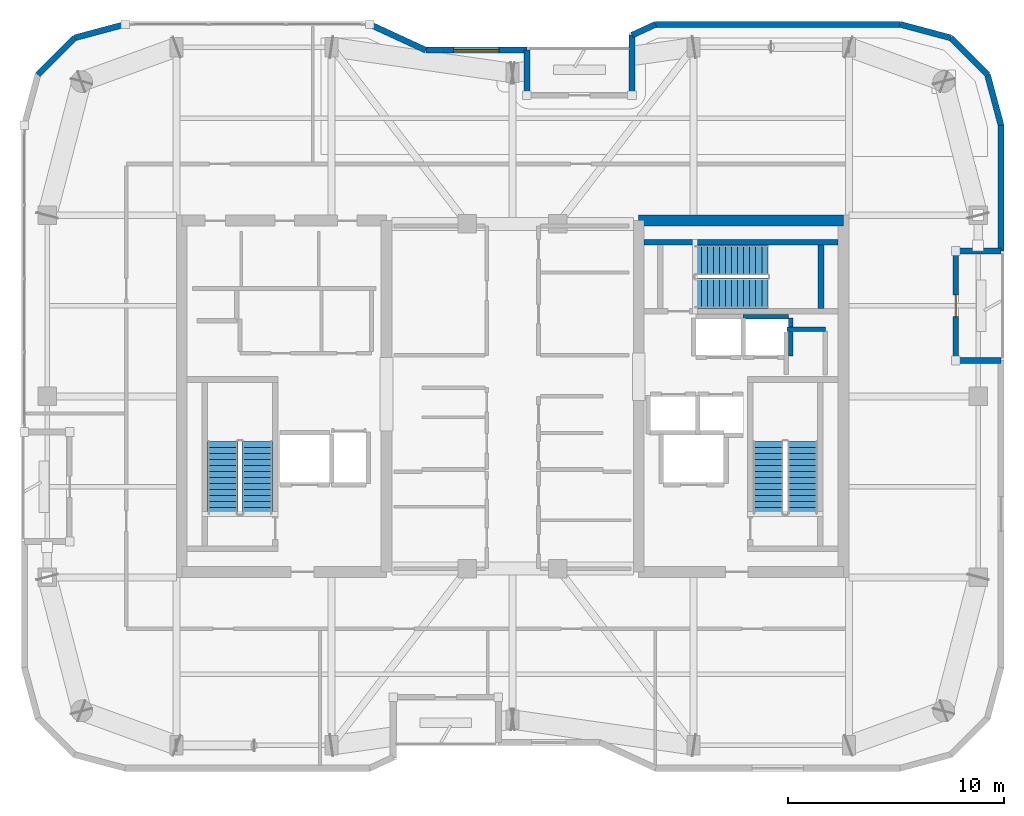
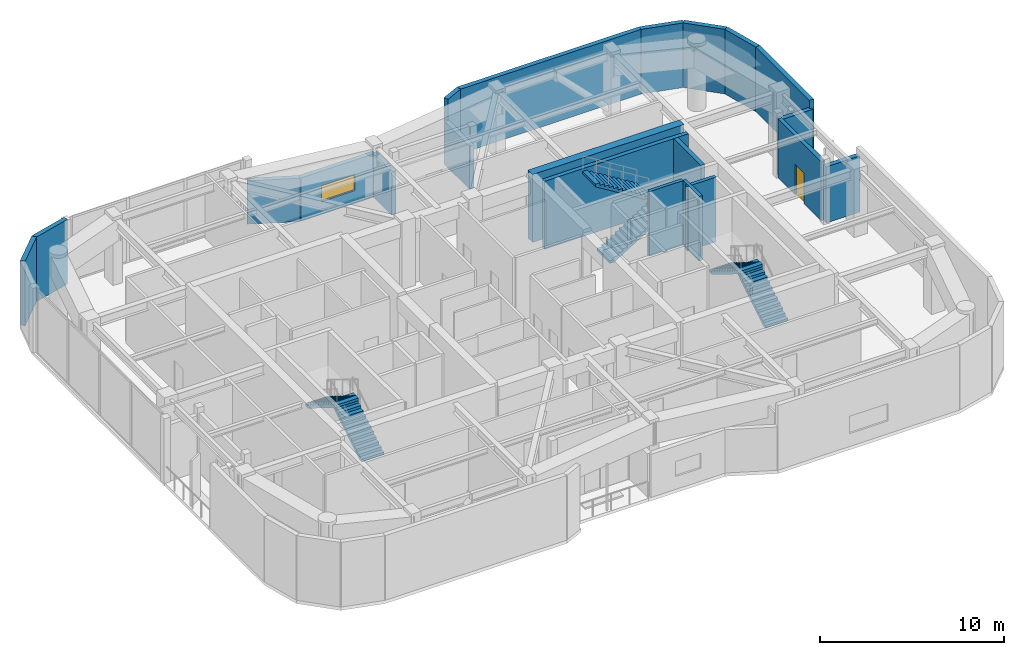
# One storey, part 13 of 16: 21 walls, 6 stair flights, 1 door, 1 window, 2 openings, 3 elements without a shape of their own.
"""IFC4 building model written with IfcOpenShell, lengths in metres."""

from ifc_helpers import new_model, si_unit, direction, frame, frame_2d, origin, place, context, subcontext, project, spatial, polyline, rectangle, outline, extrude, material, layer, layer_set, type_object, element, fill, aggregate, save


model = new_model("IFC4")

# Units and contexts
model_context = context("Model", 3, precision=1e-05, world=origin(), true_north=direction((0.0, 1.0)))
body_context = subcontext(model_context, "Body", "Model", "MODEL_VIEW")
ifc_project = project(units=[si_unit("LENGTHUNIT", "METRE"), si_unit("AREAUNIT", "SQUARE_METRE"), si_unit("VOLUMEUNIT", "CUBIC_METRE"), si_unit("PLANEANGLEUNIT", "RADIAN"), si_unit("MASSUNIT", "GRAM", prefix="KILO")], contexts=[model_context])

# Site, building, storey
site_placement = place(None, origin())
site = spatial("IfcSite", under=ifc_project, at=site_placement, CompositionType="ELEMENT")
building_placement = place(site_placement, origin())
building = spatial("IfcBuilding", under=site, at=building_placement, Name="Kiyonajd Concourse Tower", CompositionType="ELEMENT")
storey_placement = place(building_placement, frame((0.0, 0.0, 337.5)))
storey = spatial("IfcBuildingStorey", under=building, at=storey_placement, Name="L85", CompositionType="ELEMENT", Elevation=337.5)

# Walls
ifc_material_1 = material(Name="Concrete C60/75", Category="concrete")
ifc_layer_1 = layer(ifc_material_1, 0.5)
ifc_layer_set_1 = layer_set([ifc_layer_1], Name="Concrete C60/75")
wall_type_1 = type_object("IfcWallType", Name="WL-CORE-500", PredefinedType="SHEAR", material=ifc_layer_set_1)
wall_1_placement = place(storey_placement, frame((53.85009765625, 44.14990234375, 0.0), z_axis=(0.0, 0.0, 1.0), x_axis=(1.0, 0.0, 0.0)))
element("IfcWall", 1, at=wall_1_placement, inside=storey, type_object=wall_type_1, Name="L85 East Core North Shear Wall", PredefinedType="SHEAR", context=body_context, shape_type="SweptSolid", body=[
    extrude(rectangle(XDim=9.5, YDim=0.5, at=frame_2d((4.75, 0.0))), origin(), (0.0, 0.0, 1.0), 4.5),
])
ifc_material_2 = material(Name="Precast concrete C50/60", Category="concrete")
ifc_layer_2 = layer(ifc_material_2, 0.280029296875)
ifc_layer_set_2 = layer_set([ifc_layer_2], Name="Precast concrete C50/60")
wall_type_2 = type_object("IfcWallType", Name="WL-EXT-280", PredefinedType="SOLIDWALL", material=ifc_layer_set_2)
wall_2_placement = place(storey_placement, frame((25.968505859375, 50.927490234375, 0.0), z_axis=(0.0, 0.0, 1.0), x_axis=(0.707106781187, 0.707106781187, 0.0)))
element("IfcWall", 2, at=wall_2_placement, inside=storey, type_object=wall_type_2, Name="L85 Exterior Concrete Frame Wall 07", PredefinedType="SOLIDWALL", context=body_context, shape_type="SweptSolid", body=[
    extrude(rectangle(XDim=2.409912109375, YDim=0.280029296875, at=frame_2d((1.205078125, 0.0))), origin(), (0.0, 0.0, 1.0), 4.280029296875),
])
wall_3_placement = place(storey_placement, frame((27.672607421875, 52.631591796875, 0.0), z_axis=(0.0, 0.0, 1.0), x_axis=(0.965937282298, 0.25877628691, 0.0)))
element("IfcWall", 3, at=wall_3_placement, inside=storey, type_object=wall_type_2, Name="L85 Exterior Concrete Frame Wall 08", PredefinedType="SOLIDWALL", context=body_context, shape_type="SweptSolid", body=[
    extrude(rectangle(XDim=2.428466796875, YDim=0.280029296875, at=frame_2d((1.21435546875, 0.0))), origin(), (0.0, 0.0, 1.0), 4.280029296875),
])
wall_4_placement = place(storey_placement, frame((41.369384765625, 53.260009765625, 0.0), z_axis=(0.0, 0.0, 1.0), x_axis=(0.907956889006, -0.419063584324, 0.0)))
element("IfcWall", 4, at=wall_4_placement, inside=storey, type_object=wall_type_2, Name="L85 Exterior Concrete Frame Wall 10", PredefinedType="SOLIDWALL", context=body_context, shape_type="SweptSolid", body=[
    extrude(rectangle(XDim=2.863525390625, YDim=0.280029296875, at=frame_2d((1.431640625, 0.0))), origin(), (0.0, 0.0, 1.0), 2.864990234375),
])

# Wall, opening, window
wall_5_placement = place(storey_placement, frame((43.96923828125, 52.06005859375, 0.0), z_axis=(0.0, 0.0, 1.0), x_axis=(1.0, 0.0, 0.0)))
wall_5 = element("IfcWall", 5, at=wall_5_placement, inside=storey, type_object=wall_type_2, Name="L85 Exterior Concrete Frame Wall 11", PredefinedType="SOLIDWALL", context=body_context, shape_type="SweptSolid", body=[
    extrude(rectangle(XDim=4.690673828125, YDim=0.280029296875, at=frame_2d((2.34521484375, 0.0))), origin(), (0.0, 0.0, 1.0), 2.864990234375),
])
opening_1_placement = place(wall_5_placement, frame((1.294921875, 0.0, 0.85009765625)))
opening_1 = element("IfcOpeningElement", 6, at=opening_1_placement, cuts=wall_5, Name="Opening WN5", PredefinedType="OPENING", context=body_context, shape_type="SweptSolid", body=[
    extrude(rectangle(XDim=2.10009765625, YDim=1.050048828125, at=frame_2d((1.050048828125, 0.52490234375))), frame((0.0, 0.14990234375, 0.0), z_axis=(0.0, -1.0, 0.0), x_axis=(1.0, 0.0, 0.0)), (0.0, 0.0, 1.0), 0.300048828125),
])
ifc_material_3 = material(Name="Double Low-E Insulated Glass", Category="glass")
window_type = type_object("IfcWindowType", Name="WN-VIS-2100x1050", PartitioningType="SINGLE_PANEL", PredefinedType="WINDOW", material=ifc_material_3)
window_placement = place(opening_1_placement, origin())
window = element("IfcWindow", 7, at=window_placement, inside=storey, type_object=window_type, Name="L85 Modular Facade Vision Window 11", OverallHeight=1.050048828125, OverallWidth=2.10009765625, PartitioningType="SINGLE_PANEL", PredefinedType="WINDOW", context=body_context, shape_type="SweptSolid", body=[
    extrude(rectangle(XDim=2.10009765625, YDim=1.050048828125, at=frame_2d((1.050048828125, 0.52490234375))), frame((0.0, 0.030029296875, 0.0), z_axis=(0.0, -1.0, 0.0), x_axis=(1.0, 0.0, 0.0)), (0.0, 0.0, 1.0), 0.06005859375),
])
fill(opening_1, window)

# Walls
wall_6_placement = place(storey_placement, frame((48.659912109375, 52.06005859375, 0.0), z_axis=(0.0, 0.0, 1.0), x_axis=(0.0, -1.0, 0.0)))
element("IfcWall", 8, at=wall_6_placement, inside=storey, type_object=wall_type_2, Name="L85 Exterior Concrete Frame Wall 12", PredefinedType="SOLIDWALL", context=body_context, shape_type="SweptSolid", body=[
    extrude(rectangle(XDim=2.10009765625, YDim=0.280029296875, at=frame_2d((1.050048828125, 0.0))), origin(), (0.0, 0.0, 1.0), 2.864990234375),
])
wall_7_placement = place(storey_placement, frame((53.5400390625, 49.9599609375, 0.0), z_axis=(0.0, 0.0, 1.0), x_axis=(0.0, 1.0, 0.0)))
element("IfcWall", 9, at=wall_7_placement, inside=storey, type_object=wall_type_2, Name="L85 Exterior Concrete Frame Wall 14", PredefinedType="SOLIDWALL", context=body_context, shape_type="SweptSolid", body=[
    extrude(rectangle(XDim=2.79638671875, YDim=0.280029296875, at=frame_2d((1.398193359375, 0.0))), origin(), (0.0, 0.0, 1.0), 2.864990234375),
])
wall_8_placement = place(storey_placement, frame((53.5400390625, 52.75634765625, 0.0), z_axis=(0.0, 0.0, 1.0), x_axis=(0.907893953211, 0.419199916176, 0.0)))
element("IfcWall", 10, at=wall_8_placement, inside=storey, type_object=wall_type_2, Name="L85 Exterior Concrete Frame Wall 15", PredefinedType="SOLIDWALL", context=body_context, shape_type="SweptSolid", body=[
    extrude(rectangle(XDim=1.201416015625, YDim=0.280029296875, at=frame_2d((0.6005859375, 0.0))), origin(), (0.0, 0.0, 1.0), 4.280029296875),
])
wall_9_placement = place(storey_placement, frame((54.630859375, 53.260009765625, 0.0), z_axis=(0.0, 0.0, 1.0), x_axis=(1.0, 0.0, 0.0)))
element("IfcWall", 11, at=wall_9_placement, inside=storey, type_object=wall_type_2, Name="L85 Exterior Concrete Frame Wall 16", PredefinedType="SOLIDWALL", context=body_context, shape_type="SweptSolid", body=[
    extrude(rectangle(XDim=11.350830078125, YDim=0.280029296875, at=frame_2d((5.67529296875, 0.0))), origin(), (0.0, 0.0, 1.0), 4.280029296875),
])
wall_10_placement = place(storey_placement, frame((65.981689453125, 53.260009765625, 0.0), z_axis=(0.0, 0.0, 1.0), x_axis=(0.965937282298, -0.25877628691, 0.0)))
element("IfcWall", 12, at=wall_10_placement, inside=storey, type_object=wall_type_2, Name="L85 Exterior Concrete Frame Wall 17", PredefinedType="SOLIDWALL", context=body_context, shape_type="SweptSolid", body=[
    extrude(rectangle(XDim=2.428466796875, YDim=0.280029296875, at=frame_2d((1.21435546875, 0.0))), origin(), (0.0, 0.0, 1.0), 4.280029296875),
])
wall_11_placement = place(storey_placement, frame((68.327392578125, 52.631591796875, 0.0), z_axis=(0.0, 0.0, 1.0), x_axis=(0.707106781187, -0.707106781187, 0.0)))
element("IfcWall", 13, at=wall_11_placement, inside=storey, type_object=wall_type_2, Name="L85 Exterior Concrete Frame Wall 18", PredefinedType="SOLIDWALL", context=body_context, shape_type="SweptSolid", body=[
    extrude(rectangle(XDim=2.409912109375, YDim=0.280029296875, at=frame_2d((1.205078125, 0.0))), origin(), (0.0, 0.0, 1.0), 4.280029296875),
])
wall_12_placement = place(storey_placement, frame((70.031494140625, 50.927490234375, 0.0), z_axis=(0.0, 0.0, 1.0), x_axis=(0.258751159445, -0.965944013639, 0.0)))
element("IfcWall", 14, at=wall_12_placement, inside=storey, type_object=wall_type_2, Name="L85 Exterior Concrete Frame Wall 19", PredefinedType="SOLIDWALL", context=body_context, shape_type="SweptSolid", body=[
    extrude(rectangle(XDim=2.4287109375, YDim=0.280029296875, at=frame_2d((1.21435546875, 0.0))), origin(), (0.0, 0.0, 1.0), 4.280029296875),
])
wall_13_placement = place(storey_placement, frame((70.659912109375, 48.58154296875, 0.0), z_axis=(0.0, 0.0, 1.0), x_axis=(0.0, -1.0, 0.0)))
element("IfcWall", 15, at=wall_13_placement, inside=storey, type_object=wall_type_2, Name="L85 Exterior Concrete Frame Wall 20", PredefinedType="SOLIDWALL", context=body_context, shape_type="SweptSolid", body=[
    extrude(rectangle(XDim=5.841552734375, YDim=0.280029296875, at=frame_2d((2.9208984375, 0.0))), origin(), (0.0, 0.0, 1.0), 4.280029296875),
])
for number, where, z_axis, x_axis, name in (
    (16, (70.659912109375, 42.739990234375, 0.0), (0.0, 0.0, 1.0), (-1.0, 0.0, 0.0), "L85 Exterior Concrete Frame Wall 21"),
    (17, (68.56005859375, 37.659912109375, 0.0), (0.0, 0.0, 1.0), (1.0, 0.0, 0.0), "L85 Exterior Concrete Frame Wall 23"),
):
    element("IfcWall", number, at=place(storey_placement, frame(where, z_axis=z_axis, x_axis=x_axis)), inside=storey, type_object=wall_type_2, Name=name, PredefinedType="SOLIDWALL", context=body_context, shape_type="SweptSolid", body=[
        extrude(rectangle(XDim=2.099853515625, YDim=0.280029296875, at=frame_2d((1.0498046875, 0.0))), origin(), (0.0, 0.0, 1.0), 3.72607421875),
    ])

# Wall, opening, door
ifc_layer_3 = layer(ifc_material_2, 0.239990234375)
ifc_layer_set_3 = layer_set([ifc_layer_3], Name="Precast concrete C50/60")
wall_type_3 = type_object("IfcWallType", Name="WL-LOG-240", PredefinedType="SOLIDWALL", material=ifc_layer_set_3)
wall_14_placement = place(storey_placement, frame((68.56005859375, 42.544921875, 0.0), z_axis=(0.0, 0.0, 1.0), x_axis=(0.0, -1.0, 0.0)))
wall_14 = element("IfcWall", 18, at=wall_14_placement, inside=storey, type_object=wall_type_3, Name="L85 Recessed Loggia Thermal Wall LOG-E", PredefinedType="SOLIDWALL", context=body_context, shape_type="SweptSolid", body=[
    extrude(rectangle(XDim=4.68994140625, YDim=0.239990234375, at=frame_2d((2.344970703125, 0.0))), origin(), (0.0, 0.0, 1.0), 3.910888671875),
])
opening_2_placement = place(wall_14_placement, frame((1.844970703125, 0.0, 0.0)))
opening_2 = element("IfcOpeningElement", 19, at=opening_2_placement, cuts=wall_14, Name="Opening DL1", PredefinedType="OPENING", context=body_context, shape_type="SweptSolid", body=[
    extrude(rectangle(XDim=1.0, YDim=2.02001953125, at=frame_2d((0.5, 1.010009765625))), frame((0.0, 0.1298828125, 0.0), z_axis=(0.0, -1.0, 0.0), x_axis=(1.0, 0.0, 0.0)), (0.0, 0.0, 1.0), 0.260009765625),
])
ifc_material_4 = material(Name="Thermally Broken Anodised Aluminium", Category="aluminium")
door_type = type_object("IfcDoorType", Name="DR-LOG-1000", OperationType="NOTDEFINED", PredefinedType="DOOR", material=ifc_material_4)
door_placement = place(opening_2_placement, origin())
door = element("IfcDoor", 20, at=door_placement, inside=storey, type_object=door_type, Name="L85 Engawa Loggia Access Door LOG-E", OperationType="SINGLE_SWING_LEFT", OverallHeight=2.02001953125, OverallWidth=1.0, PredefinedType="DOOR", context=body_context, shape_type="SweptSolid", body=[
    extrude(rectangle(XDim=1.0, YDim=2.02001953125, at=frame_2d((0.5, 1.010009765625))), frame((0.0, 0.02490234375, 0.0), z_axis=(0.0, -1.0, 0.0), x_axis=(1.0, 0.0, 0.0)), (0.0, 0.0, 1.0), 0.050048828125),
])
fill(opening_2, door)

# Walls
ifc_material_5 = material(Name="Gypsum Board on Cold-Formed Steel Stud", Category="steel")
ifc_layer_4 = layer(ifc_material_5, 0.2099609375)
ifc_layer_set_4 = layer_set([ifc_layer_4], Name="Gypsum Board on Cold-Formed Steel Stud")
wall_type_4 = type_object("IfcWallType", Name="WL-SHAFT-210", PredefinedType="PARTITIONING", material=ifc_layer_set_4)
wall_15_placement = place(storey_placement, frame((60.719970703125, 39.10009765625, 0.0), z_axis=(0.0, 0.0, 1.0), x_axis=(1.0, 0.0, 0.0)))
element("IfcWall", 21, at=wall_15_placement, inside=storey, type_object=wall_type_4, Name="L85 Shaft Enclosure Wall", PredefinedType="PARTITIONING", context=body_context, shape_type="SweptSolid", body=[
    extrude(rectangle(XDim=1.800048828125, YDim=0.2099609375, at=frame_2d((0.89990234375, 0.0))), origin(), (0.0, 0.0, 1.0), 4.280029296875),
])
wall_16_placement = place(storey_placement, frame((58.699951171875, 39.699951171875, 0.0), z_axis=(0.0, 0.0, 1.0), x_axis=(1.0, 0.0, 0.0)))
element("IfcWall", 22, at=wall_16_placement, inside=storey, type_object=wall_type_4, Name="L85 Shaft Enclosure Wall", PredefinedType="PARTITIONING", context=body_context, shape_type="SweptSolid", body=[
    extrude(rectangle(XDim=2.10009765625, YDim=0.2099609375, at=frame_2d((1.050048828125, 0.0))), origin(), (0.0, 0.0, 1.0), 4.280029296875),
])
wall_17_placement = place(storey_placement, frame((60.89990234375, 37.860107421875, 0.0), z_axis=(0.0, 0.0, 1.0), x_axis=(0.0, 1.0, 0.0)))
element("IfcWall", 23, at=wall_17_placement, inside=storey, type_object=wall_type_4, Name="L85 Shaft Enclosure Wall", PredefinedType="PARTITIONING", context=body_context, shape_type="SweptSolid", body=[
    extrude(rectangle(XDim=1.77978515625, YDim=0.2099609375, at=frame_2d((0.889892578125, 0.0))), origin(), (0.0, 0.0, 1.0), 4.280029296875),
])
ifc_material_6 = material(Name="Concrete C50/60", Category="concrete")
ifc_layer_5 = layer(ifc_material_6, 0.260009765625)
ifc_layer_set_5 = layer_set([ifc_layer_5], Name="Concrete C50/60")
wall_type_5 = type_object("IfcWallType", Name="WL-STAIR-260", PredefinedType="SHEAR", material=ifc_layer_set_5)
wall_18_placement = place(storey_placement, frame((54.10009765625, 43.14990234375, 0.0), z_axis=(0.0, 0.0, 1.0), x_axis=(1.0, 0.0, 0.0)))
element("IfcWall", 24, at=wall_18_placement, inside=storey, type_object=wall_type_5, Name="L85 Stair ST3 Structural North Wall", PredefinedType="SHEAR", context=body_context, shape_type="SweptSolid", body=[
    extrude(rectangle(XDim=9.0, YDim=0.260009765625, at=frame_2d((4.5, 0.0))), origin(), (0.0, 0.0, 1.0), 4.5),
])
wall_19_placement = place(storey_placement, frame((62.31005859375, 40.080078125, 0.0), z_axis=(0.0, 0.0, 1.0), x_axis=(0.0, 1.0, 0.0)))
element("IfcWall", 25, at=wall_19_placement, inside=storey, type_object=wall_type_5, Name="L85 Stair ST3 Structural East Wall", PredefinedType="SHEAR", context=body_context, shape_type="SweptSolid", body=[
    extrude(rectangle(XDim=2.93994140625, YDim=0.260009765625, at=frame_2d((1.469970703125, 0.0))), origin(), (0.0, 0.0, 1.0), 4.5),
])

# Stair, stair flights
ifc_material_7 = material(Name="Concrete C40/50", Category="concrete")
stair_type = type_object("IfcStairType", Name="ST-DLG-26R", PredefinedType="HALF_TURN_STAIR", material=ifc_material_7)
stair_1_placement = place(storey_placement, origin())
stair_1 = element("IfcStair", 26, at=stair_1_placement, inside=storey, type_object=stair_type, Name="L85 Protected Exit Stair ST1", PredefinedType="HALF_TURN_STAIR")
stair_flight_type = type_object("IfcStairFlightType", Name="SF-STR-26R", PredefinedType="STRAIGHT", material=ifc_material_7)
stair_flight_1_placement = place(storey_placement, frame((36.14990234375, 30.550048828125, 0.0), z_axis=(0.0, 0.0, 1.0), x_axis=(0.0, 1.0, 0.0)))
stair_flight_1 = element("IfcStairFlight", 27, at=stair_flight_1_placement, type_object=stair_flight_type, Name="ST1 flight 1", NumberOfRisers=13, NumberOfTreads=12, PredefinedType="STRAIGHT", RiserHeight=0.173076923, TreadLength=0.28, context=body_context, shape_type="SweptSolid", body=[
    extrude(outline(polyline([(0.0, 0.0), (0.0, 0.173095703125), (0.280029296875, 0.173095703125), (0.280029296875, 0.34619140625), (0.56005859375, 0.34619140625), (0.56005859375, 0.519287109375), (0.840087890625, 0.519287109375), (0.840087890625, 0.6923828125), (1.1201171875, 0.6923828125), (1.1201171875, 0.865478515625), (1.39990234375, 0.865478515625), (1.39990234375, 1.03857421875), (1.679931640625, 1.03857421875), (1.679931640625, 1.21142578125), (1.9599609375, 1.21142578125), (1.9599609375, 1.384521484375), (2.239990234375, 1.384521484375), (2.239990234375, 1.5576171875), (2.52001953125, 1.5576171875), (2.52001953125, 1.730712890625), (2.800048828125, 1.730712890625), (2.800048828125, 1.90380859375), (3.080078125, 1.90380859375), (3.080078125, 2.076904296875), (3.360107421875, 2.076904296875), (3.360107421875, 2.25), (3.360107421875, 1.900634765625), (0.28515625, 0.0), (0.0, 0.0)])), frame((0.0, 0.699951171875, 0.0), z_axis=(0.0, -1.0, 0.0), x_axis=(1.0, 0.0, 0.0)), (0.0, 0.0, 1.0), 1.39990234375),
])
stair_flight_2_placement = place(storey_placement, frame((34.550048828125, 33.909912109375, 2.25), z_axis=(0.0, 0.0, 1.0), x_axis=(0.0, -1.0, 0.0)))
stair_flight_2 = element("IfcStairFlight", 28, at=stair_flight_2_placement, type_object=stair_flight_type, Name="ST1 flight 2", NumberOfRisers=13, NumberOfTreads=12, PredefinedType="STRAIGHT", RiserHeight=0.173076923, TreadLength=0.28, context=body_context, shape_type="SweptSolid", body=[
    extrude(outline(polyline([(0.0, 0.0), (0.0, 0.173095703125), (0.280029296875, 0.173095703125), (0.280029296875, 0.34619140625), (0.56005859375, 0.34619140625), (0.56005859375, 0.519287109375), (0.840087890625, 0.519287109375), (0.840087890625, 0.6923828125), (1.1201171875, 0.6923828125), (1.1201171875, 0.865478515625), (1.39990234375, 0.865478515625), (1.39990234375, 1.03857421875), (1.679931640625, 1.03857421875), (1.679931640625, 1.21142578125), (1.9599609375, 1.21142578125), (1.9599609375, 1.384521484375), (2.239990234375, 1.384521484375), (2.239990234375, 1.5576171875), (2.52001953125, 1.5576171875), (2.52001953125, 1.730712890625), (2.800048828125, 1.730712890625), (2.800048828125, 1.90380859375), (3.080078125, 1.90380859375), (3.080078125, 2.076904296875), (3.360107421875, 2.076904296875), (3.360107421875, 2.25), (3.360107421875, 1.900634765625), (0.28515625, 0.0), (0.0, 0.0)])), frame((0.0, 0.699951171875, 0.0), z_axis=(0.0, -1.0, 0.0), x_axis=(1.0, 0.0, 0.0)), (0.0, 0.0, 1.0), 1.39990234375),
])
aggregate(stair_1, [stair_flight_1, stair_flight_2])

stair_2_placement = place(storey_placement, origin())
stair_2 = element("IfcStair", 29, at=stair_2_placement, inside=storey, type_object=stair_type, Name="L85 Protected Exit Stair ST2", PredefinedType="HALF_TURN_STAIR")
stair_flight_3_placement = place(storey_placement, frame((61.449951171875, 30.550048828125, 0.0), z_axis=(0.0, 0.0, 1.0), x_axis=(0.0, 1.0, 0.0)))
stair_flight_3 = element("IfcStairFlight", 30, at=stair_flight_3_placement, type_object=stair_flight_type, Name="ST2 flight 1", NumberOfRisers=13, NumberOfTreads=12, PredefinedType="STRAIGHT", RiserHeight=0.173076923, TreadLength=0.28, context=body_context, shape_type="SweptSolid", body=[
    extrude(outline(polyline([(0.0, 0.0), (0.0, 0.173095703125), (0.280029296875, 0.173095703125), (0.280029296875, 0.34619140625), (0.56005859375, 0.34619140625), (0.56005859375, 0.519287109375), (0.840087890625, 0.519287109375), (0.840087890625, 0.6923828125), (1.1201171875, 0.6923828125), (1.1201171875, 0.865478515625), (1.39990234375, 0.865478515625), (1.39990234375, 1.03857421875), (1.679931640625, 1.03857421875), (1.679931640625, 1.21142578125), (1.9599609375, 1.21142578125), (1.9599609375, 1.384521484375), (2.239990234375, 1.384521484375), (2.239990234375, 1.5576171875), (2.52001953125, 1.5576171875), (2.52001953125, 1.730712890625), (2.800048828125, 1.730712890625), (2.800048828125, 1.90380859375), (3.080078125, 1.90380859375), (3.080078125, 2.076904296875), (3.360107421875, 2.076904296875), (3.360107421875, 2.25), (3.360107421875, 1.900634765625), (0.28515625, 0.0), (0.0, 0.0)])), frame((0.0, 0.699951171875, 0.0), z_axis=(0.0, -1.0, 0.0), x_axis=(1.0, 0.0, 0.0)), (0.0, 0.0, 1.0), 1.39990234375),
])
stair_flight_4_placement = place(storey_placement, frame((59.85009765625, 33.909912109375, 2.25), z_axis=(0.0, 0.0, 1.0), x_axis=(0.0, -1.0, 0.0)))
stair_flight_4 = element("IfcStairFlight", 31, at=stair_flight_4_placement, type_object=stair_flight_type, Name="ST2 flight 2", NumberOfRisers=13, NumberOfTreads=12, PredefinedType="STRAIGHT", RiserHeight=0.173076923, TreadLength=0.28, context=body_context, shape_type="SweptSolid", body=[
    extrude(outline(polyline([(0.0, 0.0), (0.0, 0.173095703125), (0.280029296875, 0.173095703125), (0.280029296875, 0.34619140625), (0.56005859375, 0.34619140625), (0.56005859375, 0.519287109375), (0.840087890625, 0.519287109375), (0.840087890625, 0.6923828125), (1.1201171875, 0.6923828125), (1.1201171875, 0.865478515625), (1.39990234375, 0.865478515625), (1.39990234375, 1.03857421875), (1.679931640625, 1.03857421875), (1.679931640625, 1.21142578125), (1.9599609375, 1.21142578125), (1.9599609375, 1.384521484375), (2.239990234375, 1.384521484375), (2.239990234375, 1.5576171875), (2.52001953125, 1.5576171875), (2.52001953125, 1.730712890625), (2.800048828125, 1.730712890625), (2.800048828125, 1.90380859375), (3.080078125, 1.90380859375), (3.080078125, 2.076904296875), (3.360107421875, 2.076904296875), (3.360107421875, 2.25), (3.360107421875, 1.900634765625), (0.28515625, 0.0), (0.0, 0.0)])), frame((0.0, 0.699951171875, 0.0), z_axis=(0.0, -1.0, 0.0), x_axis=(1.0, 0.0, 0.0)), (0.0, 0.0, 1.0), 1.39990234375),
])
aggregate(stair_2, [stair_flight_3, stair_flight_4])

stair_3_placement = place(storey_placement, origin())
stair_3 = element("IfcStair", 32, at=stair_3_placement, inside=storey, type_object=stair_type, Name="L85 Protected Exit Stair ST3", PredefinedType="HALF_TURN_STAIR")
stair_flight_5_placement = place(storey_placement, frame((56.47998046875, 40.780029296875, 0.0), z_axis=(0.0, 0.0, 1.0), x_axis=(1.0, 0.0, 0.0)))
stair_flight_5 = element("IfcStairFlight", 33, at=stair_flight_5_placement, type_object=stair_flight_type, Name="ST3 flight 1", NumberOfRisers=13, NumberOfTreads=12, PredefinedType="STRAIGHT", RiserHeight=0.173076923, TreadLength=0.28, context=body_context, shape_type="SweptSolid", body=[
    extrude(outline(polyline([(0.0, 0.0), (0.0, 0.173095703125), (0.280029296875, 0.173095703125), (0.280029296875, 0.34619140625), (0.56005859375, 0.34619140625), (0.56005859375, 0.519287109375), (0.840087890625, 0.519287109375), (0.840087890625, 0.6923828125), (1.1201171875, 0.6923828125), (1.1201171875, 0.865478515625), (1.39990234375, 0.865478515625), (1.39990234375, 1.03857421875), (1.679931640625, 1.03857421875), (1.679931640625, 1.21142578125), (1.9599609375, 1.21142578125), (1.9599609375, 1.384521484375), (2.239990234375, 1.384521484375), (2.239990234375, 1.5576171875), (2.52001953125, 1.5576171875), (2.52001953125, 1.730712890625), (2.800048828125, 1.730712890625), (2.800048828125, 1.90380859375), (3.080078125, 1.90380859375), (3.080078125, 2.076904296875), (3.360107421875, 2.076904296875), (3.360107421875, 2.25), (3.360107421875, 1.900634765625), (0.28515625, 0.0), (0.0, 0.0)])), frame((0.0, 0.699951171875, 0.0), z_axis=(0.0, -1.0, 0.0), x_axis=(1.0, 0.0, 0.0)), (0.0, 0.0, 1.0), 1.39990234375),
])
stair_flight_6_placement = place(storey_placement, frame((59.840087890625, 42.320068359375, 2.25), z_axis=(0.0, 0.0, 1.0), x_axis=(-1.0, 0.0, 0.0)))
stair_flight_6 = element("IfcStairFlight", 34, at=stair_flight_6_placement, type_object=stair_flight_type, Name="ST3 flight 2", NumberOfRisers=13, NumberOfTreads=12, PredefinedType="STRAIGHT", RiserHeight=0.173076923, TreadLength=0.28, context=body_context, shape_type="SweptSolid", body=[
    extrude(outline(polyline([(0.0, 0.0), (0.0, 0.173095703125), (0.280029296875, 0.173095703125), (0.280029296875, 0.34619140625), (0.56005859375, 0.34619140625), (0.56005859375, 0.519287109375), (0.840087890625, 0.519287109375), (0.840087890625, 0.6923828125), (1.1201171875, 0.6923828125), (1.1201171875, 0.865478515625), (1.39990234375, 0.865478515625), (1.39990234375, 1.03857421875), (1.679931640625, 1.03857421875), (1.679931640625, 1.21142578125), (1.9599609375, 1.21142578125), (1.9599609375, 1.384521484375), (2.239990234375, 1.384521484375), (2.239990234375, 1.5576171875), (2.52001953125, 1.5576171875), (2.52001953125, 1.730712890625), (2.800048828125, 1.730712890625), (2.800048828125, 1.90380859375), (3.080078125, 1.90380859375), (3.080078125, 2.076904296875), (3.360107421875, 2.076904296875), (3.360107421875, 2.25), (3.360107421875, 1.900634765625), (0.28515625, 0.0), (0.0, 0.0)])), frame((0.0, 0.699951171875, 0.0), z_axis=(0.0, -1.0, 0.0), x_axis=(1.0, 0.0, 0.0)), (0.0, 0.0, 1.0), 1.39990234375),
])
aggregate(stair_3, [stair_flight_5, stair_flight_6])

save(model, "model.ifc")
